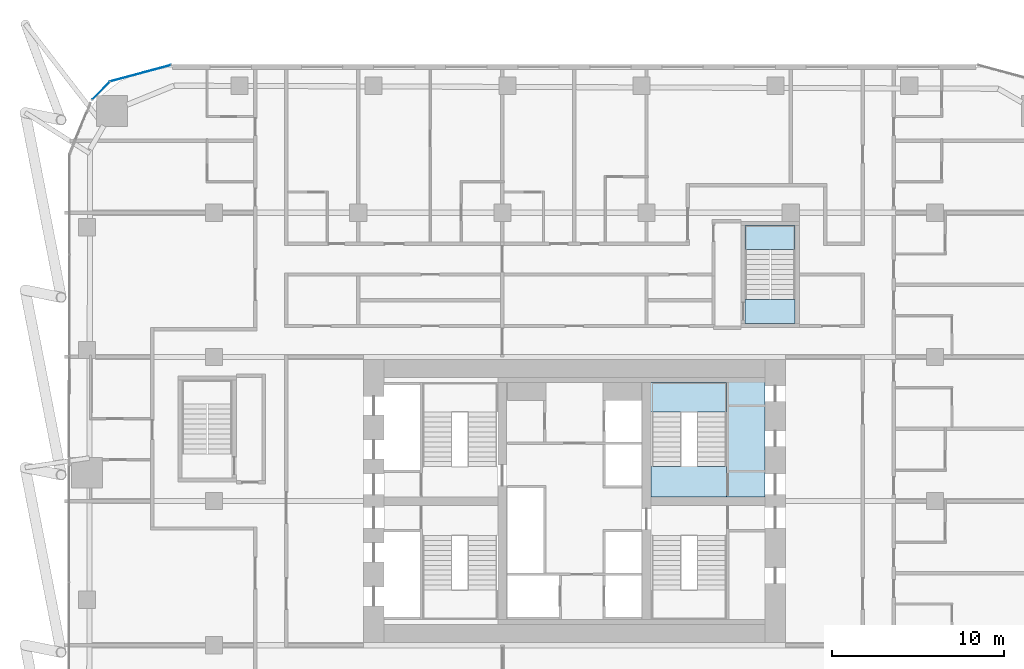
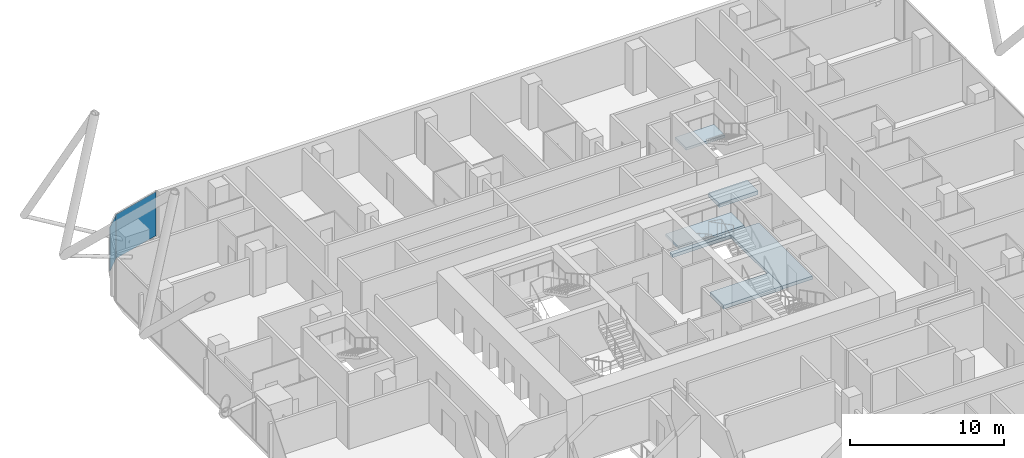
# One storey, part 25 of 36: 5 slabs, 2 plates, 4 elements without a shape of their own.
"""IFC4 building model written with IfcOpenShell, lengths in metres."""

from ifc_helpers import new_model, si_unit, direction, frame, origin, origin_2d, place, context, subcontext, project, spatial, polyline, rectangle, outline, extrude, material, layer, layer_set, type_object, element, aggregate, save


model = new_model("IFC4")

# Units and contexts
model_context = context("Model", 3, precision=1e-05, world=origin(), true_north=direction((0.0, 1.0)))
body_context = subcontext(model_context, "Body", "Model", "MODEL_VIEW")
ifc_project = project(units=[si_unit("LENGTHUNIT", "METRE"), si_unit("AREAUNIT", "SQUARE_METRE"), si_unit("VOLUMEUNIT", "CUBIC_METRE"), si_unit("PLANEANGLEUNIT", "RADIAN"), si_unit("MASSUNIT", "GRAM", prefix="KILO")], contexts=[model_context])

# Site, building, storey
site_placement = place(None, origin())
site = spatial("IfcSite", under=ifc_project, at=site_placement, CompositionType="ELEMENT")
building_placement = place(site_placement, origin())
building = spatial("IfcBuilding", under=site, at=building_placement, Name="Marenta Gate Hotel Tower", CompositionType="ELEMENT")
storey_placement = place(building_placement, frame((0.0, 0.0, 83.300048828125)))
storey = spatial("IfcBuildingStorey", under=building, at=storey_placement, Name="L19", CompositionType="ELEMENT", Elevation=83.300048828125)

# Slab
ifc_material_1 = material(Name="Concrete C40", Category="concrete")
ifc_layer_1 = layer(ifc_material_1, 0.260009765625)
ifc_layer_set_1 = layer_set([ifc_layer_1], Name="Concrete C40")
slab_type_1 = type_object("IfcSlabType", Name="Core floor slab 260", PredefinedType="FLOOR", material=ifc_layer_set_1)
slab_1_placement = place(storey_placement, frame((0.0, 0.0, -0.260009765625)))
element("IfcSlab", 1, at=slab_1_placement, inside=storey, type_object=slab_type_1, Name="L19-CF-3", PredefinedType="FLOOR", context=body_context, shape_type="SweptSolid", body=[
    extrude(outline(polyline([(8.85009765625, 15.300048828125), (4.449951171875, 15.300048828125), (4.449951171875, 15.60009765625), (11.10009765625, 15.60009765625), (11.10009765625, 8.64990234375), (8.85009765625, 8.64990234375), (8.85009765625, 8.699951171875), (8.85009765625, 10.39990234375), (8.85009765625, 15.300048828125)])), origin(), (0.0, 0.0, 1.0), 0.260009765625),
])

# Stair, slab
ifc_material_2 = material(Name="Concrete C40", Category="concrete")
stair_type_1 = type_object("IfcStairType", Name="Core exit stair 1700 wide", PredefinedType="HALF_TURN_STAIR", material=ifc_material_2)
stair_1_placement = place(storey_placement, origin())
stair_1 = element("IfcStair", 2, at=stair_1_placement, inside=storey, type_object=stair_type_1, Name="Exit stair 4", PredefinedType="HALF_TURN_STAIR")
ifc_material_3 = material(Name="Concrete C40", Category="concrete")
ifc_layer_2 = layer(ifc_material_3, 0.199951171875)
ifc_layer_set_2 = layer_set([ifc_layer_2], Name="Concrete C40")
slab_type_2 = type_object("IfcSlabType", Name="Core stair landing 200", PredefinedType="LANDING", material=ifc_layer_set_2)
slab_2_placement = place(storey_placement, frame((0.0, 0.0, 1.599853515625)))
slab_2 = element("IfcSlab", 3, at=slab_2_placement, type_object=slab_type_2, Name="SL-200 ST4 landing 1", PredefinedType="LANDING", context=body_context, shape_type="SweptSolid", body=[
    extrude(outline(polyline([(3.949951171875, 13.590087890625), (8.85009765625, 13.590087890625), (8.85009765625, 15.300048828125), (3.949951171875, 15.300048828125), (3.949951171875, 13.590087890625)])), origin(), (0.0, 0.0, 1.0), 0.2001953125),
])
aggregate(stair_1, [slab_2])

# Curtain wall, plate
ifc_material_4 = material(Name="Tinted insulated glass in bronze anodised frame", Category="glass")
ifc_layer_3 = layer(ifc_material_4, 0.1201171875)
ifc_layer_set_3 = layer_set([ifc_layer_3], Name="Tinted insulated glass in bronze anodised frame")
curtain_wall_type = type_object("IfcCurtainWallType", Name="Tower unitised curtain wall CW1", PredefinedType="NOTDEFINED", material=ifc_layer_set_3)
curtain_wall_1_placement = place(storey_placement, origin())
curtain_wall_1 = element("IfcCurtainWall", 4, at=curtain_wall_1_placement, inside=storey, type_object=curtain_wall_type, Name="CW1 run G00", PredefinedType="NOTDEFINED")
ifc_material_5 = material(Name="Tinted insulated glass", Category="glass")
ifc_layer_4 = layer(ifc_material_5, 0.028076171875)
ifc_layer_set_4 = layer_set([ifc_layer_4], Name="Tinted insulated glass")
plate_type = type_object("IfcPlateType", Name="Glass panel CW1 28 mm tinted insulated unit", PredefinedType="CURTAIN_PANEL", material=ifc_layer_set_4)
plate_1_placement = place(storey_placement, frame((-25.277099609375, 33.3232421875, 0.06005859375), z_axis=(0.0, 0.0, 1.0), x_axis=(-0.965930485164, -0.258801657317, 0.0)))
plate_1 = element("IfcPlate", 5, at=plate_1_placement, type_object=plate_type, Name="CW1 panel 1.1", PredefinedType="CURTAIN_PANEL", context=body_context, shape_type="SweptSolid", body=[
    extrude(rectangle(XDim=3.64990234375, YDim=0.028076171875, at=origin_2d()), origin(), (0.0, 0.0, 1.0), 3.47998046875),
])
aggregate(curtain_wall_1, [plate_1])

curtain_wall_2_placement = place(storey_placement, origin())
curtain_wall_2 = element("IfcCurtainWall", 6, at=curtain_wall_2_placement, inside=storey, type_object=curtain_wall_type, Name="CW1 run G01", PredefinedType="NOTDEFINED")
plate_2_placement = place(storey_placement, frame((-27.58544921875, 32.305419921875, 0.06005859375), z_axis=(0.0, 0.0, 1.0), x_axis=(-0.707106781187, -0.707106781187, 0.0)))
plate_2 = element("IfcPlate", 7, at=plate_2_placement, type_object=plate_type, Name="CW1 panel 1.1", PredefinedType="CURTAIN_PANEL", context=body_context, shape_type="SweptSolid", body=[
    extrude(rectangle(XDim=1.4228515625, YDim=0.028076171875, at=origin_2d()), origin(), (0.0, 0.0, 1.0), 3.47998046875),
])
aggregate(curtain_wall_2, [plate_2])

# Stair, slab
ifc_material_6 = material(Name="Concrete C40", Category="concrete")
stair_type_2 = type_object("IfcStairType", Name="Remote exit stair 1400 wide", PredefinedType="HALF_TURN_STAIR", material=ifc_material_6)
stair_2_placement = place(storey_placement, origin())
stair_2 = element("IfcStair", 8, at=stair_2_placement, inside=storey, type_object=stair_type_2, Name="Exit stair RS-Z1-4", PredefinedType="HALF_TURN_STAIR")
ifc_material_7 = material(Name="Concrete C40", Category="concrete")
ifc_layer_5 = layer(ifc_material_7, 0.199951171875)
ifc_layer_set_5 = layer_set([ifc_layer_5], Name="Concrete C40")
slab_type_3 = type_object("IfcSlabType", Name="Remote stair landing 200", PredefinedType="LANDING", material=ifc_layer_set_5)
slab_3_placement = place(storey_placement, frame((0.0, 0.0, 1.599853515625)))
slab_3 = element("IfcSlab", 9, at=slab_3_placement, type_object=slab_type_3, Name="RL-200 RS-Z1-4 landing 1", PredefinedType="LANDING", context=body_context, shape_type="SweptSolid", body=[
    extrude(outline(polyline([(9.949951171875, 23.050048828125), (12.85009765625, 23.050048828125), (12.85009765625, 24.449951171875), (9.949951171875, 24.449951171875), (9.949951171875, 23.050048828125)])), origin(), (0.0, 0.0, 1.0), 0.2001953125),
])
aggregate(stair_2, [slab_3])

# Slabs
ifc_material_8 = material(Name="Concrete C40", Category="concrete")
ifc_layer_6 = layer(ifc_material_8, 0.300048828125)
ifc_layer_set_6 = layer_set([ifc_layer_6], Name="Concrete C40")
slab_type_4 = type_object("IfcSlabType", Name="Stair floor landing slab 300", PredefinedType="FLOOR", material=ifc_layer_set_6)
slab_4_placement = place(storey_placement, frame((0.0, 0.0, -0.300048828125)))
element("IfcSlab", 10, at=slab_4_placement, inside=storey, type_object=slab_type_4, Name="L19-CL-ST4-1", PredefinedType="FLOOR", context=body_context, shape_type="SweptSolid", body=[
    extrude(outline(polyline([(4.449951171875, 8.64990234375), (4.449951171875, 10.39990234375), (8.85009765625, 10.39990234375), (8.85009765625, 8.699951171875), (8.85009765625, 8.64990234375), (4.449951171875, 8.64990234375)])), origin(), (0.0, 0.0, 1.0), 0.300048828125),
])
slab_5_placement = place(storey_placement, frame((0.0, 0.0, -0.300048828125)))
element("IfcSlab", 11, at=slab_5_placement, inside=storey, type_object=slab_type_4, Name="L19-RS-Z1-4-CL", PredefinedType="FLOOR", context=body_context, shape_type="SweptSolid", body=[
    extrude(outline(polyline([(12.85009765625, 18.75), (12.85009765625, 20.14990234375), (9.949951171875, 20.14990234375), (9.949951171875, 18.75), (12.85009765625, 18.75)])), origin(), (0.0, 0.0, 1.0), 0.300048828125),
])

save(model, "model.ifc")
